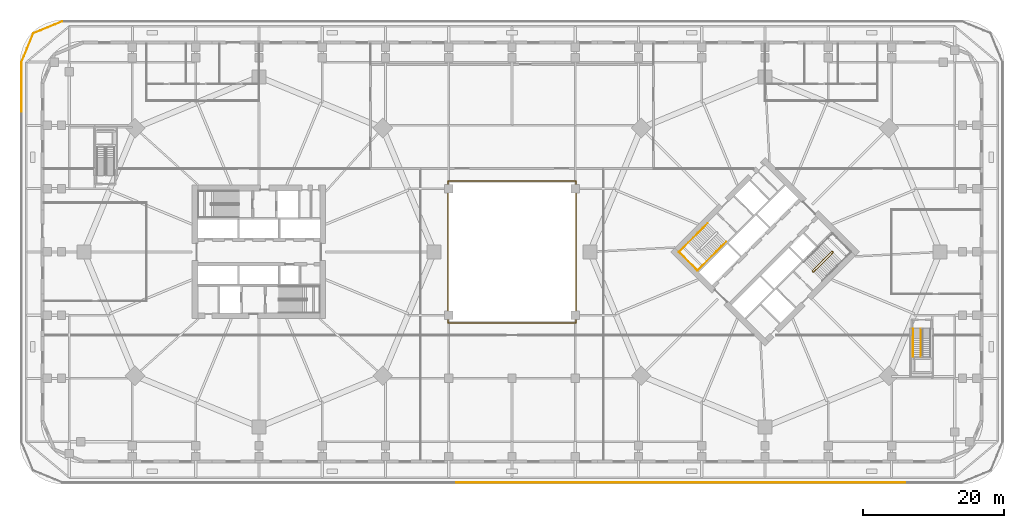
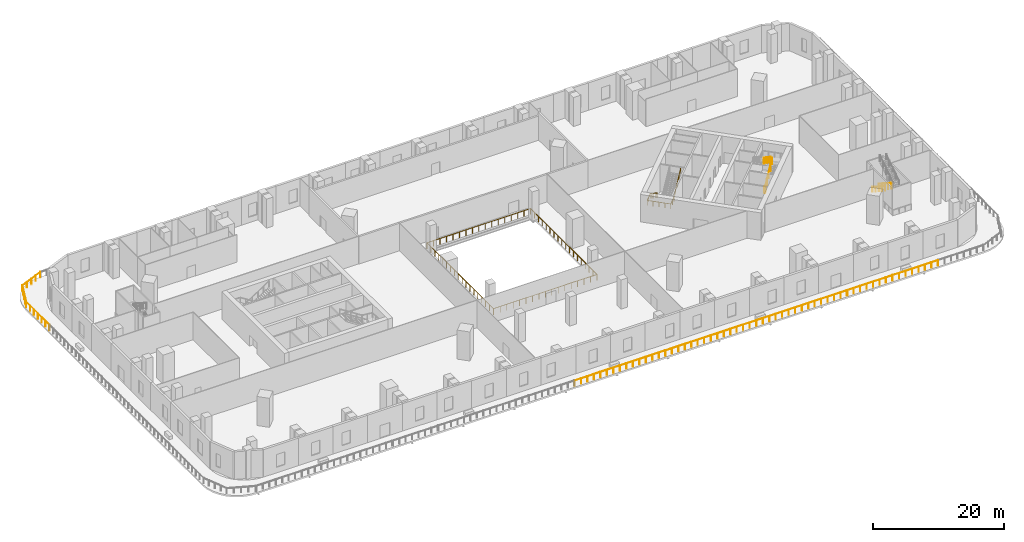
# One storey, part 15 of 19: 15 railings.
"""IFC4 building model written with IfcOpenShell, lengths in metres."""

from ifc_helpers import new_model, si_unit, direction, frame, origin, origin_2d, place, context, subcontext, project, spatial, circle, extrude, material, type_object, element, save


model = new_model("IFC4")

# Units and contexts
model_context = context("Model", 3, precision=1e-05, world=origin(), true_north=direction((0.0, 1.0)))
body_context = subcontext(model_context, "Body", "Model", "MODEL_VIEW")
ifc_project = project(units=[si_unit("LENGTHUNIT", "METRE"), si_unit("AREAUNIT", "SQUARE_METRE"), si_unit("VOLUMEUNIT", "CUBIC_METRE"), si_unit("PLANEANGLEUNIT", "RADIAN"), si_unit("MASSUNIT", "GRAM", prefix="KILO")], contexts=[model_context])

# Site, building, storey
site_placement = place(None, origin())
site = spatial("IfcSite", under=ifc_project, at=site_placement, CompositionType="ELEMENT")
building_placement = place(site_placement, origin())
building = spatial("IfcBuilding", under=site, at=building_placement, Name="Ogive Gate Towers", CompositionType="ELEMENT")
storey_placement = place(building_placement, frame((0.0, 0.0, 12.60009765625)))
storey = spatial("IfcBuildingStorey", under=building, at=storey_placement, Name="L02", CompositionType="ELEMENT", Elevation=12.60009765625)

# Railings
ifc_material_1 = material(Name="Stainless steel", Category="steel")
railing_type_1 = type_object("IfcRailingType", Name="Guard 1100", PredefinedType="GUARDRAIL", material=ifc_material_1)
railing_1_placement = place(storey_placement, frame((-64.0, 32.800048828125, 0.0)))
element("IfcRailing", 1, at=railing_1_placement, inside=storey, type_object=railing_type_1, Name="Terrace guard", PredefinedType="GUARDRAIL", context=body_context, shape_type="SweptSolid", body=[
    extrude(circle(Radius=0.02392578125, at=origin_2d()), frame((0.0, 0.0, 1.076171875), z_axis=(-0.923886797369, -0.382665892976, 0.0), x_axis=(0.382665892976, -0.923886797369, 0.0)), (0.0, 0.0, 1.0), 4.439208984375),
    extrude(circle(Radius=0.02392578125, at=origin_2d()), frame((-4.101318359375, -1.69873046875, 1.076171875), z_axis=(-0.382628940528, -0.923902101887, 0.0), x_axis=(0.923902101887, -0.382628940528, 0.0)), (0.0, 0.0, 1.0), 3.5009765625),
    extrude(circle(Radius=0.02099609375, at=origin_2d()), origin(), (0.0, 0.0, 1.0), 1.052001953125),
    extrude(circle(Radius=0.02099609375, at=origin_2d()), frame((-1.025390625, -0.4248046875, 0.0)), (0.0, 0.0, 1.0), 1.052001953125),
    extrude(circle(Radius=0.02099609375, at=origin_2d()), frame((-2.05078125, -0.849365234375, 0.0)), (0.0, 0.0, 1.0), 1.052001953125),
    extrude(circle(Radius=0.02099609375, at=origin_2d()), frame((-3.075927734375, -1.27392578125, 0.0)), (0.0, 0.0, 1.0), 1.052001953125),
    extrude(circle(Radius=0.02099609375, at=origin_2d()), frame((-4.101318359375, -1.69873046875, 0.0)), (0.0, 0.0, 1.0), 1.052001953125),
    extrude(circle(Radius=0.02099609375, at=origin_2d()), frame((-4.5478515625, -2.77685546875, 0.0)), (0.0, 0.0, 1.0), 1.052001953125),
    extrude(circle(Radius=0.02099609375, at=origin_2d()), frame((-4.994384765625, -3.855224609375, 0.0)), (0.0, 0.0, 1.0), 1.052001953125),
    extrude(circle(Radius=0.02099609375, at=origin_2d()), frame((-5.44091796875, -4.933349609375, 0.0)), (0.0, 0.0, 1.0), 1.052001953125),
])
railing_2_placement = place(storey_placement, frame((-69.460205078125, 27.8203125, 0.0)))
element("IfcRailing", 2, at=railing_2_placement, inside=storey, type_object=railing_type_1, Name="Terrace guard", PredefinedType="GUARDRAIL", context=body_context, shape_type="SweptSolid", body=[
    extrude(circle(Radius=0.02392578125, at=origin_2d()), frame((0.0, 0.0, 1.076171875), z_axis=(-0.38274032778, -0.923855963606, 0.0), x_axis=(0.923855963606, -0.38274032778, 0.0)), (0.0, 0.0, 1.0), 0.887939453125),
    extrude(circle(Radius=0.02392578125, at=origin_2d()), frame((-0.33984375, -0.8203125, 1.076171875), z_axis=(0.0, -1.0, 0.0), x_axis=(1.0, 0.0, 0.0)), (0.0, 0.0, 1.0), 7.05224609375),
    extrude(circle(Radius=0.02099609375, at=origin_2d()), origin(), (0.0, 0.0, 1.0), 1.052001953125),
    extrude(circle(Radius=0.02099609375, at=origin_2d()), frame((-0.33984375, -0.8203125, 0.0)), (0.0, 0.0, 1.0), 1.052001953125),
    extrude(circle(Radius=0.02099609375, at=origin_2d()), frame((-0.33984375, -1.99560546875, 0.0)), (0.0, 0.0, 1.0), 1.052001953125),
    extrude(circle(Radius=0.02099609375, at=origin_2d()), frame((-0.33984375, -3.171142578125, 0.0)), (0.0, 0.0, 1.0), 1.052001953125),
    extrude(circle(Radius=0.02099609375, at=origin_2d()), frame((-0.33984375, -4.346435546875, 0.0)), (0.0, 0.0, 1.0), 1.052001953125),
    extrude(circle(Radius=0.02099609375, at=origin_2d()), frame((-0.33984375, -5.521728515625, 0.0)), (0.0, 0.0, 1.0), 1.052001953125),
    extrude(circle(Radius=0.02099609375, at=origin_2d()), frame((-0.33984375, -6.697265625, 0.0)), (0.0, 0.0, 1.0), 1.052001953125),
    extrude(circle(Radius=0.02099609375, at=origin_2d()), frame((-0.33984375, -7.87255859375, 0.0)), (0.0, 0.0, 1.0), 1.052001953125),
])
railing_3_placement = place(storey_placement, frame((-7.912353515625, -32.800048828125, 0.0)))
element("IfcRailing", 3, at=railing_3_placement, inside=storey, type_object=railing_type_1, Name="Terrace guard", PredefinedType="GUARDRAIL", context=body_context, shape_type="SweptSolid", body=[
    extrude(circle(Radius=0.02392578125, at=origin_2d()), frame((0.0, 0.0, 1.076171875), z_axis=(1.0, 0.0, 0.0), x_axis=(0.0, 1.0, 0.0)), (0.0, 0.0, 1.0), 7.940185546875),
    extrude(circle(Radius=0.02099609375, at=origin_2d()), origin(), (0.0, 0.0, 1.0), 1.052001953125),
    extrude(circle(Radius=0.02099609375, at=origin_2d()), frame((1.13427734375, 0.0, 0.0)), (0.0, 0.0, 1.0), 1.052001953125),
    extrude(circle(Radius=0.02099609375, at=origin_2d()), frame((2.2685546875, 0.0, 0.0)), (0.0, 0.0, 1.0), 1.052001953125),
    extrude(circle(Radius=0.02099609375, at=origin_2d()), frame((3.40283203125, 0.0, 0.0)), (0.0, 0.0, 1.0), 1.052001953125),
    extrude(circle(Radius=0.02099609375, at=origin_2d()), frame((4.537353515625, 0.0, 0.0)), (0.0, 0.0, 1.0), 1.052001953125),
    extrude(circle(Radius=0.02099609375, at=origin_2d()), frame((5.671630859375, 0.0, 0.0)), (0.0, 0.0, 1.0), 1.052001953125),
    extrude(circle(Radius=0.02099609375, at=origin_2d()), frame((6.805908203125, 0.0, 0.0)), (0.0, 0.0, 1.0), 1.052001953125),
    extrude(circle(Radius=0.02099609375, at=origin_2d()), frame((7.940185546875, 0.0, 0.0)), (0.0, 0.0, 1.0), 1.052001953125),
])
railing_4_placement = place(storey_placement, frame((0.077880859375, -32.800048828125, 0.0)))
element("IfcRailing", 4, at=railing_4_placement, inside=storey, type_object=railing_type_1, Name="Terrace guard", PredefinedType="GUARDRAIL", context=body_context, shape_type="SweptSolid", body=[
    extrude(circle(Radius=0.02392578125, at=origin_2d()), frame((0.0, 0.0, 1.076171875), z_axis=(1.0, 0.0, 0.0), x_axis=(0.0, 1.0, 0.0)), (0.0, 0.0, 1.0), 7.9404296875),
    extrude(circle(Radius=0.02099609375, at=origin_2d()), origin(), (0.0, 0.0, 1.0), 1.052001953125),
    extrude(circle(Radius=0.02099609375, at=origin_2d()), frame((1.13427734375, 0.0, 0.0)), (0.0, 0.0, 1.0), 1.052001953125),
    extrude(circle(Radius=0.02099609375, at=origin_2d()), frame((2.268798828125, 0.0, 0.0)), (0.0, 0.0, 1.0), 1.052001953125),
    extrude(circle(Radius=0.02099609375, at=origin_2d()), frame((3.403076171875, 0.0, 0.0)), (0.0, 0.0, 1.0), 1.052001953125),
    extrude(circle(Radius=0.02099609375, at=origin_2d()), frame((4.537353515625, 0.0, 0.0)), (0.0, 0.0, 1.0), 1.052001953125),
    extrude(circle(Radius=0.02099609375, at=origin_2d()), frame((5.671630859375, 0.0, 0.0)), (0.0, 0.0, 1.0), 1.052001953125),
    extrude(circle(Radius=0.02099609375, at=origin_2d()), frame((6.80615234375, 0.0, 0.0)), (0.0, 0.0, 1.0), 1.052001953125),
    extrude(circle(Radius=0.02099609375, at=origin_2d()), frame((7.9404296875, 0.0, 0.0)), (0.0, 0.0, 1.0), 1.052001953125),
])
railing_5_placement = place(storey_placement, frame((8.068115234375, -32.800048828125, 0.0)))
element("IfcRailing", 5, at=railing_5_placement, inside=storey, type_object=railing_type_1, Name="Terrace guard", PredefinedType="GUARDRAIL", context=body_context, shape_type="SweptSolid", body=[
    extrude(circle(Radius=0.02392578125, at=origin_2d()), frame((0.0, 0.0, 1.076171875), z_axis=(1.0, 0.0, 0.0), x_axis=(0.0, 1.0, 0.0)), (0.0, 0.0, 1.0), 7.940185546875),
    extrude(circle(Radius=0.02099609375, at=origin_2d()), origin(), (0.0, 0.0, 1.0), 1.052001953125),
    extrude(circle(Radius=0.02099609375, at=origin_2d()), frame((1.13427734375, 0.0, 0.0)), (0.0, 0.0, 1.0), 1.052001953125),
    extrude(circle(Radius=0.02099609375, at=origin_2d()), frame((2.2685546875, 0.0, 0.0)), (0.0, 0.0, 1.0), 1.052001953125),
    extrude(circle(Radius=0.02099609375, at=origin_2d()), frame((3.40283203125, 0.0, 0.0)), (0.0, 0.0, 1.0), 1.052001953125),
    extrude(circle(Radius=0.02099609375, at=origin_2d()), frame((4.537353515625, 0.0, 0.0)), (0.0, 0.0, 1.0), 1.052001953125),
    extrude(circle(Radius=0.02099609375, at=origin_2d()), frame((5.671630859375, 0.0, 0.0)), (0.0, 0.0, 1.0), 1.052001953125),
    extrude(circle(Radius=0.02099609375, at=origin_2d()), frame((6.805908203125, 0.0, 0.0)), (0.0, 0.0, 1.0), 1.052001953125),
    extrude(circle(Radius=0.02099609375, at=origin_2d()), frame((7.940185546875, 0.0, 0.0)), (0.0, 0.0, 1.0), 1.052001953125),
])
for number, where, name in (
    (6, (16.058349609375, -32.800048828125, 0.0), "Terrace guard"),
    (7, (24.048583984375, -32.800048828125, 0.0), "Terrace guard"),
):
    element("IfcRailing", number, at=place(storey_placement, frame(where)), inside=storey, type_object=railing_type_1, Name=name, PredefinedType="GUARDRAIL", context=body_context, shape_type="SweptSolid", body=[
        extrude(circle(Radius=0.02392578125, at=origin_2d()), frame((0.0, 0.0, 1.076171875), z_axis=(1.0, 0.0, 0.0), x_axis=(0.0, 1.0, 0.0)), (0.0, 0.0, 1.0), 7.9404296875),
        extrude(circle(Radius=0.02099609375, at=origin_2d()), origin(), (0.0, 0.0, 1.0), 1.052001953125),
        extrude(circle(Radius=0.02099609375, at=origin_2d()), frame((1.13427734375, 0.0, 0.0)), (0.0, 0.0, 1.0), 1.052001953125),
        extrude(circle(Radius=0.02099609375, at=origin_2d()), frame((2.268798828125, 0.0, 0.0)), (0.0, 0.0, 1.0), 1.052001953125),
        extrude(circle(Radius=0.02099609375, at=origin_2d()), frame((3.403076171875, 0.0, 0.0)), (0.0, 0.0, 1.0), 1.052001953125),
        extrude(circle(Radius=0.02099609375, at=origin_2d()), frame((4.537353515625, 0.0, 0.0)), (0.0, 0.0, 1.0), 1.052001953125),
        extrude(circle(Radius=0.02099609375, at=origin_2d()), frame((5.671630859375, 0.0, 0.0)), (0.0, 0.0, 1.0), 1.052001953125),
        extrude(circle(Radius=0.02099609375, at=origin_2d()), frame((6.80615234375, 0.0, 0.0)), (0.0, 0.0, 1.0), 1.052001953125),
        extrude(circle(Radius=0.02099609375, at=origin_2d()), frame((7.9404296875, 0.0, 0.0)), (0.0, 0.0, 1.0), 1.052001953125),
    ])
for number, where, name in (
    (8, (32.0390625, -32.800048828125, 0.0), "Terrace guard"),
    (9, (40.029296875, -32.800048828125, 0.0), "Terrace guard"),
    (10, (48.01953125, -32.800048828125, 0.0), "Terrace guard"),
):
    element("IfcRailing", number, at=place(storey_placement, frame(where)), inside=storey, type_object=railing_type_1, Name=name, PredefinedType="GUARDRAIL", context=body_context, shape_type="SweptSolid", body=[
        extrude(circle(Radius=0.02392578125, at=origin_2d()), frame((0.0, 0.0, 1.076171875), z_axis=(1.0, 0.0, 0.0), x_axis=(0.0, 1.0, 0.0)), (0.0, 0.0, 1.0), 7.940185546875),
        extrude(circle(Radius=0.02099609375, at=origin_2d()), origin(), (0.0, 0.0, 1.0), 1.052001953125),
        extrude(circle(Radius=0.02099609375, at=origin_2d()), frame((1.13427734375, 0.0, 0.0)), (0.0, 0.0, 1.0), 1.052001953125),
        extrude(circle(Radius=0.02099609375, at=origin_2d()), frame((2.2685546875, 0.0, 0.0)), (0.0, 0.0, 1.0), 1.052001953125),
        extrude(circle(Radius=0.02099609375, at=origin_2d()), frame((3.40283203125, 0.0, 0.0)), (0.0, 0.0, 1.0), 1.052001953125),
        extrude(circle(Radius=0.02099609375, at=origin_2d()), frame((4.537353515625, 0.0, 0.0)), (0.0, 0.0, 1.0), 1.052001953125),
        extrude(circle(Radius=0.02099609375, at=origin_2d()), frame((5.671630859375, 0.0, 0.0)), (0.0, 0.0, 1.0), 1.052001953125),
        extrude(circle(Radius=0.02099609375, at=origin_2d()), frame((6.805908203125, 0.0, 0.0)), (0.0, 0.0, 1.0), 1.052001953125),
        extrude(circle(Radius=0.02099609375, at=origin_2d()), frame((7.940185546875, 0.0, 0.0)), (0.0, 0.0, 1.0), 1.052001953125),
    ])
ifc_material_2 = material(Name="Steel and glass guard", Category="steel")
railing_type_2 = type_object("IfcRailingType", Name="Podium stair guard 1100", PredefinedType="GUARDRAIL", material=ifc_material_2)
railing_6_placement = place(storey_placement, frame((58.14990234375, -10.949951171875, 0.179931640625)))
element("IfcRailing", 11, at=railing_6_placement, inside=storey, type_object=railing_type_2, Name="L02 PS2 stair guard 1", PredefinedType="GUARDRAIL", context=body_context, shape_type="SweptSolid", body=[
    extrude(circle(Radius=0.02392578125, at=origin_2d()), frame((0.0, 0.0, 1.076171875), z_axis=(0.0, -0.841186985886, 0.540744352514), x_axis=(1.0, 0.0, 0.0)), (0.0, 0.0, 1.0), 4.660400390625),
    extrude(circle(Radius=0.02099609375, at=origin_2d()), origin(), (0.0, 0.0, 1.0), 1.052001953125),
    extrude(circle(Radius=0.02099609375, at=origin_2d()), frame((0.0, -0.97998046875, 0.6298828125)), (0.0, 0.0, 1.0), 1.052001953125),
    extrude(circle(Radius=0.02099609375, at=origin_2d()), frame((0.0, -1.9599609375, 1.260009765625)), (0.0, 0.0, 1.0), 1.052001953125),
    extrude(circle(Radius=0.02099609375, at=origin_2d()), frame((0.0, -2.940185546875, 1.89013671875)), (0.0, 0.0, 1.0), 1.052001953125),
    extrude(circle(Radius=0.02099609375, at=origin_2d()), frame((0.0, -3.920166015625, 2.52001953125)), (0.0, 0.0, 1.0), 1.052001953125),
])
ifc_material_3 = material(Name="Stainless steel handrail", Category="steel")
railing_type_3 = type_object("IfcRailingType", Name="Podium stair handrail 900", PredefinedType="HANDRAIL", material=ifc_material_3)
railing_7_placement = place(storey_placement, frame((57.050048828125, -10.949951171875, 0.179931640625)))
element("IfcRailing", 12, at=railing_7_placement, inside=storey, type_object=railing_type_3, Name="L02 PS2 stair handrail 1", PredefinedType="HANDRAIL", context=body_context, shape_type="SweptSolid", body=[
    extrude(circle(Radius=0.02392578125, at=origin_2d()), frame((0.0, 0.0, 0.8759765625), z_axis=(0.0, -0.841186985886, 0.540744352514), x_axis=(1.0, 0.0, 0.0)), (0.0, 0.0, 1.0), 4.660400390625),
    extrude(circle(Radius=0.02099609375, at=origin_2d()), origin(), (0.0, 0.0, 1.0), 0.851806640625),
    extrude(circle(Radius=0.02099609375, at=origin_2d()), frame((0.0, -0.97998046875, 0.6298828125)), (0.0, 0.0, 1.0), 0.851806640625),
    extrude(circle(Radius=0.02099609375, at=origin_2d()), frame((0.0, -1.9599609375, 1.260009765625)), (0.0, 0.0, 1.0), 0.851806640625),
    extrude(circle(Radius=0.02099609375, at=origin_2d()), frame((0.0, -2.940185546875, 1.89013671875)), (0.0, 0.0, 1.0), 0.851806640625),
    extrude(circle(Radius=0.02099609375, at=origin_2d()), frame((0.0, -3.920166015625, 2.52001953125)), (0.0, 0.0, 1.0), 0.851806640625),
])
railing_type_4 = type_object("IfcRailingType", Name="Stair guard 1100", PredefinedType="GUARDRAIL", material=ifc_material_1)
railing_8_placement = place(storey_placement, frame((42.84130859375, -2.8603515625, 0.0)))
element("IfcRailing", 13, at=railing_8_placement, inside=storey, type_object=railing_type_4, Name="L02 ST2 stair guard 1", PredefinedType="GUARDRAIL", context=body_context, shape_type="SweptSolid", body=[
    extrude(circle(Radius=0.02392578125, at=origin_2d()), frame((0.0, 0.0, 1.076171875), z_axis=(-0.707106781187, 0.707106781187, 0.0), x_axis=(-0.707106781187, -0.707106781187, 0.0)), (0.0, 0.0, 1.0), 0.14501953125),
    extrude(circle(Radius=0.02392578125, at=origin_2d()), frame((-0.1025390625, 0.1025390625, 1.076171875), z_axis=(0.641307342375, -0.379899977147, 0.666634007518), x_axis=(0.509669330572, 0.860370369942, 0.0)), (0.0, 0.0, 1.0), 0.27001953125),
    extrude(circle(Radius=0.02392578125, at=origin_2d()), frame((0.070556640625, 0.0, 1.255859375), z_axis=(0.594808813858, 0.594808813858, 0.540744810344), x_axis=(-0.707106781187, 0.707106781187, 0.0)), (0.0, 0.0, 1.0), 4.66015625),
    extrude(circle(Radius=0.02392578125, at=origin_2d()), frame((2.842529296875, 2.77197265625, 3.77587890625), z_axis=(0.0, 1.0, 0.0), x_axis=(-1.0, 0.0, 0.0)), (0.0, 0.0, 1.0), 0.07080078125),
    extrude(circle(Radius=0.02392578125, at=origin_2d()), frame((2.842529296875, 2.8427734375, 3.77587890625), z_axis=(-0.707106781187, 0.707106781187, 0.0), x_axis=(-0.707106781187, -0.707106781187, 0.0)), (0.0, 0.0, 1.0), 0.14501953125),
    extrude(circle(Radius=0.02392578125, at=origin_2d()), frame((2.739990234375, 2.9453125, 3.77587890625), z_axis=(-0.36616015681, 0.0, 0.93055184679), x_axis=(0.0, -1.0, 0.0)), (0.0, 0.0, 1.0), 0.193359375),
    extrude(circle(Radius=0.02392578125, at=origin_2d()), frame((2.669189453125, 2.9453125, 3.9560546875), z_axis=(-0.594774959279, -0.594827348511, 0.540761660325), x_axis=(0.707137920976, -0.707075640025, 0.0)), (0.0, 0.0, 1.0), 4.66015625),
    extrude(circle(Radius=0.02099609375, at=origin_2d()), origin(), (0.0, 0.0, 1.0), 1.052001953125),
    extrude(circle(Radius=0.02099609375, at=origin_2d()), frame((-0.1025390625, 0.1025390625, 0.0)), (0.0, 0.0, 1.0), 1.052001953125),
    extrude(circle(Radius=0.02099609375, at=origin_2d()), frame((0.070556640625, 0.0, 0.179931640625)), (0.0, 0.0, 1.0), 1.052001953125),
    extrude(circle(Radius=0.02099609375, at=origin_2d()), frame((0.763671875, 0.69287109375, 0.81005859375)), (0.0, 0.0, 1.0), 1.052001953125),
    extrude(circle(Radius=0.02099609375, at=origin_2d()), frame((1.45654296875, 1.385986328125, 1.43994140625)), (0.0, 0.0, 1.0), 1.052001953125),
    extrude(circle(Radius=0.02099609375, at=origin_2d()), frame((2.1494140625, 2.0791015625, 2.06982421875)), (0.0, 0.0, 1.0), 1.052001953125),
    extrude(circle(Radius=0.02099609375, at=origin_2d()), frame((2.842529296875, 2.77197265625, 2.699951171875)), (0.0, 0.0, 1.0), 1.052001953125),
    extrude(circle(Radius=0.02099609375, at=origin_2d()), frame((2.842529296875, 2.8427734375, 2.699951171875)), (0.0, 0.0, 1.0), 1.052001953125),
    extrude(circle(Radius=0.02099609375, at=origin_2d()), frame((2.739990234375, 2.9453125, 2.699951171875)), (0.0, 0.0, 1.0), 1.052001953125),
    extrude(circle(Radius=0.02099609375, at=origin_2d()), frame((2.669189453125, 2.9453125, 2.8798828125)), (0.0, 0.0, 1.0), 1.052001953125),
    extrude(circle(Radius=0.02099609375, at=origin_2d()), frame((1.976318359375, 2.25244140625, 3.509765625)), (0.0, 0.0, 1.0), 1.052001953125),
    extrude(circle(Radius=0.02099609375, at=origin_2d()), frame((1.283203125, 1.559326171875, 4.139892578125)), (0.0, 0.0, 1.0), 1.052001953125),
    extrude(circle(Radius=0.02099609375, at=origin_2d()), frame((0.59033203125, 0.8662109375, 4.77001953125)), (0.0, 0.0, 1.0), 1.052001953125),
    extrude(circle(Radius=0.02099609375, at=origin_2d()), frame((-0.1025390625, 0.17333984375, 5.39990234375)), (0.0, 0.0, 1.0), 1.052001953125),
])
railing_type_5 = type_object("IfcRailingType", Name="Stair handrail 900", PredefinedType="HANDRAIL", material=ifc_material_1)
railing_9_placement = place(storey_placement, frame((27.857666015625, 4.090576171875, 0.179931640625)))
element("IfcRailing", 14, at=railing_9_placement, inside=storey, type_object=railing_type_5, Name="L02 ST1 stair handrail 1", PredefinedType="HANDRAIL", context=body_context, shape_type="SweptSolid", body=[
    extrude(circle(Radius=0.02392578125, at=origin_2d()), frame((0.0, 0.0, 0.8759765625), z_axis=(-0.594827348511, -0.594774959279, 0.540761660325), x_axis=(0.707075640025, -0.707137920976, 0.0)), (0.0, 0.0, 1.0), 4.66015625),
    extrude(circle(Radius=0.02392578125, at=origin_2d()), frame((-2.77197265625, -2.771728515625, 3.39599609375), z_axis=(-0.707041323489, -0.707172232825, 0.0), x_axis=(0.707172232825, -0.707041323489, 0.0)), (0.0, 0.0, 1.0), 1.864990234375),
    extrude(circle(Radius=0.02392578125, at=origin_2d()), frame((-4.090576171875, -4.090576171875, 3.39599609375), z_axis=(0.707106781187, -0.707106781187, 0.0), x_axis=(0.707106781187, 0.707106781187, 0.0)), (0.0, 0.0, 1.0), 3.72509765625),
    extrude(circle(Radius=0.02392578125, at=origin_2d()), frame((-1.45654296875, -6.724609375, 3.39599609375), z_axis=(0.703773399639, 0.703903703916, 0.096034252089), x_axis=(-0.707172232825, 0.707041323489, 0.0)), (0.0, 0.0, 1.0), 1.87353515625),
    extrude(circle(Radius=0.02392578125, at=origin_2d()), frame((-0.137939453125, -5.40576171875, 3.57568359375), z_axis=(0.594827348511, 0.594774959279, 0.540761660325), x_axis=(-0.707075640025, 0.707137920976, 0.0)), (0.0, 0.0, 1.0), 4.66015625),
    extrude(circle(Radius=0.02099609375, at=origin_2d()), origin(), (0.0, 0.0, 1.0), 0.851806640625),
    extrude(circle(Radius=0.02099609375, at=origin_2d()), frame((-0.69287109375, -0.69287109375, 0.6298828125)), (0.0, 0.0, 1.0), 0.851806640625),
    extrude(circle(Radius=0.02099609375, at=origin_2d()), frame((-1.385986328125, -1.3857421875, 1.260009765625)), (0.0, 0.0, 1.0), 0.851806640625),
    extrude(circle(Radius=0.02099609375, at=origin_2d()), frame((-2.0791015625, -2.078857421875, 1.89013671875)), (0.0, 0.0, 1.0), 0.851806640625),
    extrude(circle(Radius=0.02099609375, at=origin_2d()), frame((-2.77197265625, -2.771728515625, 2.52001953125)), (0.0, 0.0, 1.0), 0.851806640625),
    extrude(circle(Radius=0.02099609375, at=origin_2d()), frame((-3.43115234375, -3.43115234375, 2.52001953125)), (0.0, 0.0, 1.0), 0.851806640625),
    extrude(circle(Radius=0.02099609375, at=origin_2d()), frame((-4.090576171875, -4.090576171875, 2.52001953125)), (0.0, 0.0, 1.0), 0.851806640625),
    extrude(circle(Radius=0.02099609375, at=origin_2d()), frame((-3.43212890625, -4.7490234375, 2.52001953125)), (0.0, 0.0, 1.0), 0.851806640625),
    extrude(circle(Radius=0.02099609375, at=origin_2d()), frame((-2.7734375, -5.40771484375, 2.52001953125)), (0.0, 0.0, 1.0), 0.851806640625),
    extrude(circle(Radius=0.02099609375, at=origin_2d()), frame((-2.114990234375, -6.066162109375, 2.52001953125)), (0.0, 0.0, 1.0), 0.851806640625),
    extrude(circle(Radius=0.02099609375, at=origin_2d()), frame((-1.45654296875, -6.724609375, 2.52001953125)), (0.0, 0.0, 1.0), 0.851806640625),
    extrude(circle(Radius=0.02099609375, at=origin_2d()), frame((-0.79736328125, -6.065185546875, 2.60986328125)), (0.0, 0.0, 1.0), 0.851806640625),
    extrude(circle(Radius=0.02099609375, at=origin_2d()), frame((-0.137939453125, -5.40576171875, 2.699951171875)), (0.0, 0.0, 1.0), 0.851806640625),
    extrude(circle(Radius=0.02099609375, at=origin_2d()), frame((0.55517578125, -4.712890625, 3.330078125)), (0.0, 0.0, 1.0), 0.851806640625),
    extrude(circle(Radius=0.02099609375, at=origin_2d()), frame((1.248046875, -4.02001953125, 3.9599609375)), (0.0, 0.0, 1.0), 0.851806640625),
    extrude(circle(Radius=0.02099609375, at=origin_2d()), frame((1.94091796875, -3.326904296875, 4.58984375)), (0.0, 0.0, 1.0), 0.851806640625),
    extrude(circle(Radius=0.02099609375, at=origin_2d()), frame((2.634033203125, -2.634033203125, 5.219970703125)), (0.0, 0.0, 1.0), 0.851806640625),
])
railing_type_6 = type_object("IfcRailingType", Name="Void guard 1100", PredefinedType="GUARDRAIL", material=ifc_material_2)
railing_10_placement = place(storey_placement, frame((-9.10009765625, -10.10009765625, 0.0)))
element("IfcRailing", 15, at=railing_10_placement, inside=storey, type_object=railing_type_6, Name="L02 nave guard", PredefinedType="GUARDRAIL", context=body_context, shape_type="SweptSolid", body=[
    extrude(circle(Radius=0.02392578125, at=origin_2d()), frame((0.0, 0.0, 1.076171875), z_axis=(0.0, 1.0, 0.0), x_axis=(-1.0, 0.0, 0.0)), (0.0, 0.0, 1.0), 20.2001953125),
    extrude(circle(Radius=0.02392578125, at=origin_2d()), frame((0.0, 20.2001953125, 1.076171875), z_axis=(1.0, 0.0, 0.0), x_axis=(0.0, 1.0, 0.0)), (0.0, 0.0, 1.0), 18.2001953125),
    extrude(circle(Radius=0.02392578125, at=origin_2d()), frame((18.2001953125, 20.2001953125, 1.076171875), z_axis=(0.0, -1.0, 0.0), x_axis=(1.0, 0.0, 0.0)), (0.0, 0.0, 1.0), 20.2001953125),
    extrude(circle(Radius=0.02392578125, at=origin_2d()), frame((18.2001953125, 0.0, 1.076171875), z_axis=(-1.0, 0.0, 0.0), x_axis=(0.0, -1.0, 0.0)), (0.0, 0.0, 1.0), 18.130126953125),
    extrude(circle(Radius=0.02099609375, at=origin_2d()), origin(), (0.0, 0.0, 1.0), 1.052001953125),
    extrude(circle(Radius=0.02099609375, at=origin_2d()), frame((0.0, 1.188232421875, 0.0)), (0.0, 0.0, 1.0), 1.052001953125),
    extrude(circle(Radius=0.02099609375, at=origin_2d()), frame((0.0, 2.37646484375, 0.0)), (0.0, 0.0, 1.0), 1.052001953125),
    extrude(circle(Radius=0.02099609375, at=origin_2d()), frame((0.0, 3.564697265625, 0.0)), (0.0, 0.0, 1.0), 1.052001953125),
    extrude(circle(Radius=0.02099609375, at=origin_2d()), frame((0.0, 4.7529296875, 0.0)), (0.0, 0.0, 1.0), 1.052001953125),
    extrude(circle(Radius=0.02099609375, at=origin_2d()), frame((0.0, 5.941162109375, 0.0)), (0.0, 0.0, 1.0), 1.052001953125),
    extrude(circle(Radius=0.02099609375, at=origin_2d()), frame((0.0, 7.12939453125, 0.0)), (0.0, 0.0, 1.0), 1.052001953125),
    extrude(circle(Radius=0.02099609375, at=origin_2d()), frame((0.0, 8.317626953125, 0.0)), (0.0, 0.0, 1.0), 1.052001953125),
    extrude(circle(Radius=0.02099609375, at=origin_2d()), frame((0.0, 9.505859375, 0.0)), (0.0, 0.0, 1.0), 1.052001953125),
    extrude(circle(Radius=0.02099609375, at=origin_2d()), frame((0.0, 10.6943359375, 0.0)), (0.0, 0.0, 1.0), 1.052001953125),
    extrude(circle(Radius=0.02099609375, at=origin_2d()), frame((0.0, 11.882568359375, 0.0)), (0.0, 0.0, 1.0), 1.052001953125),
    extrude(circle(Radius=0.02099609375, at=origin_2d()), frame((0.0, 13.07080078125, 0.0)), (0.0, 0.0, 1.0), 1.052001953125),
    extrude(circle(Radius=0.02099609375, at=origin_2d()), frame((0.0, 14.259033203125, 0.0)), (0.0, 0.0, 1.0), 1.052001953125),
    extrude(circle(Radius=0.02099609375, at=origin_2d()), frame((0.0, 15.447265625, 0.0)), (0.0, 0.0, 1.0), 1.052001953125),
    extrude(circle(Radius=0.02099609375, at=origin_2d()), frame((0.0, 16.635498046875, 0.0)), (0.0, 0.0, 1.0), 1.052001953125),
    extrude(circle(Radius=0.02099609375, at=origin_2d()), frame((0.0, 17.82373046875, 0.0)), (0.0, 0.0, 1.0), 1.052001953125),
    extrude(circle(Radius=0.02099609375, at=origin_2d()), frame((0.0, 19.011962890625, 0.0)), (0.0, 0.0, 1.0), 1.052001953125),
    extrude(circle(Radius=0.02099609375, at=origin_2d()), frame((0.0, 20.2001953125, 0.0)), (0.0, 0.0, 1.0), 1.052001953125),
    extrude(circle(Radius=0.02099609375, at=origin_2d()), frame((1.137451171875, 20.2001953125, 0.0)), (0.0, 0.0, 1.0), 1.052001953125),
    extrude(circle(Radius=0.02099609375, at=origin_2d()), frame((2.27490234375, 20.2001953125, 0.0)), (0.0, 0.0, 1.0), 1.052001953125),
    extrude(circle(Radius=0.02099609375, at=origin_2d()), frame((3.41259765625, 20.2001953125, 0.0)), (0.0, 0.0, 1.0), 1.052001953125),
    extrude(circle(Radius=0.02099609375, at=origin_2d()), frame((4.550048828125, 20.2001953125, 0.0)), (0.0, 0.0, 1.0), 1.052001953125),
    extrude(circle(Radius=0.02099609375, at=origin_2d()), frame((5.6875, 20.2001953125, 0.0)), (0.0, 0.0, 1.0), 1.052001953125),
    extrude(circle(Radius=0.02099609375, at=origin_2d()), frame((6.8251953125, 20.2001953125, 0.0)), (0.0, 0.0, 1.0), 1.052001953125),
    extrude(circle(Radius=0.02099609375, at=origin_2d()), frame((7.962646484375, 20.2001953125, 0.0)), (0.0, 0.0, 1.0), 1.052001953125),
    extrude(circle(Radius=0.02099609375, at=origin_2d()), frame((9.10009765625, 20.2001953125, 0.0)), (0.0, 0.0, 1.0), 1.052001953125),
    extrude(circle(Radius=0.02099609375, at=origin_2d()), frame((10.237548828125, 20.2001953125, 0.0)), (0.0, 0.0, 1.0), 1.052001953125),
    extrude(circle(Radius=0.02099609375, at=origin_2d()), frame((11.375, 20.2001953125, 0.0)), (0.0, 0.0, 1.0), 1.052001953125),
    extrude(circle(Radius=0.02099609375, at=origin_2d()), frame((12.5126953125, 20.2001953125, 0.0)), (0.0, 0.0, 1.0), 1.052001953125),
    extrude(circle(Radius=0.02099609375, at=origin_2d()), frame((13.650146484375, 20.2001953125, 0.0)), (0.0, 0.0, 1.0), 1.052001953125),
    extrude(circle(Radius=0.02099609375, at=origin_2d()), frame((14.78759765625, 20.2001953125, 0.0)), (0.0, 0.0, 1.0), 1.052001953125),
    extrude(circle(Radius=0.02099609375, at=origin_2d()), frame((15.92529296875, 20.2001953125, 0.0)), (0.0, 0.0, 1.0), 1.052001953125),
    extrude(circle(Radius=0.02099609375, at=origin_2d()), frame((17.062744140625, 20.2001953125, 0.0)), (0.0, 0.0, 1.0), 1.052001953125),
    extrude(circle(Radius=0.02099609375, at=origin_2d()), frame((18.2001953125, 20.2001953125, 0.0)), (0.0, 0.0, 1.0), 1.052001953125),
    extrude(circle(Radius=0.02099609375, at=origin_2d()), frame((18.2001953125, 19.011962890625, 0.0)), (0.0, 0.0, 1.0), 1.052001953125),
    extrude(circle(Radius=0.02099609375, at=origin_2d()), frame((18.2001953125, 17.82373046875, 0.0)), (0.0, 0.0, 1.0), 1.052001953125),
    extrude(circle(Radius=0.02099609375, at=origin_2d()), frame((18.2001953125, 16.635498046875, 0.0)), (0.0, 0.0, 1.0), 1.052001953125),
    extrude(circle(Radius=0.02099609375, at=origin_2d()), frame((18.2001953125, 15.447265625, 0.0)), (0.0, 0.0, 1.0), 1.052001953125),
    extrude(circle(Radius=0.02099609375, at=origin_2d()), frame((18.2001953125, 14.259033203125, 0.0)), (0.0, 0.0, 1.0), 1.052001953125),
    extrude(circle(Radius=0.02099609375, at=origin_2d()), frame((18.2001953125, 13.07080078125, 0.0)), (0.0, 0.0, 1.0), 1.052001953125),
    extrude(circle(Radius=0.02099609375, at=origin_2d()), frame((18.2001953125, 11.882568359375, 0.0)), (0.0, 0.0, 1.0), 1.052001953125),
    extrude(circle(Radius=0.02099609375, at=origin_2d()), frame((18.2001953125, 10.6943359375, 0.0)), (0.0, 0.0, 1.0), 1.052001953125),
    extrude(circle(Radius=0.02099609375, at=origin_2d()), frame((18.2001953125, 9.505859375, 0.0)), (0.0, 0.0, 1.0), 1.052001953125),
    extrude(circle(Radius=0.02099609375, at=origin_2d()), frame((18.2001953125, 8.317626953125, 0.0)), (0.0, 0.0, 1.0), 1.052001953125),
    extrude(circle(Radius=0.02099609375, at=origin_2d()), frame((18.2001953125, 7.12939453125, 0.0)), (0.0, 0.0, 1.0), 1.052001953125),
    extrude(circle(Radius=0.02099609375, at=origin_2d()), frame((18.2001953125, 5.941162109375, 0.0)), (0.0, 0.0, 1.0), 1.052001953125),
    extrude(circle(Radius=0.02099609375, at=origin_2d()), frame((18.2001953125, 4.7529296875, 0.0)), (0.0, 0.0, 1.0), 1.052001953125),
    extrude(circle(Radius=0.02099609375, at=origin_2d()), frame((18.2001953125, 3.564697265625, 0.0)), (0.0, 0.0, 1.0), 1.052001953125),
    extrude(circle(Radius=0.02099609375, at=origin_2d()), frame((18.2001953125, 2.37646484375, 0.0)), (0.0, 0.0, 1.0), 1.052001953125),
    extrude(circle(Radius=0.02099609375, at=origin_2d()), frame((18.2001953125, 1.188232421875, 0.0)), (0.0, 0.0, 1.0), 1.052001953125),
    extrude(circle(Radius=0.02099609375, at=origin_2d()), frame((18.2001953125, 0.0, 0.0)), (0.0, 0.0, 1.0), 1.052001953125),
    extrude(circle(Radius=0.02099609375, at=origin_2d()), frame((17.067138671875, 0.0, 0.0)), (0.0, 0.0, 1.0), 1.052001953125),
    extrude(circle(Radius=0.02099609375, at=origin_2d()), frame((15.933837890625, 0.0, 0.0)), (0.0, 0.0, 1.0), 1.052001953125),
    extrude(circle(Radius=0.02099609375, at=origin_2d()), frame((14.80078125, 0.0, 0.0)), (0.0, 0.0, 1.0), 1.052001953125),
    extrude(circle(Radius=0.02099609375, at=origin_2d()), frame((13.667724609375, 0.0, 0.0)), (0.0, 0.0, 1.0), 1.052001953125),
    extrude(circle(Radius=0.02099609375, at=origin_2d()), frame((12.534423828125, 0.0, 0.0)), (0.0, 0.0, 1.0), 1.052001953125),
    extrude(circle(Radius=0.02099609375, at=origin_2d()), frame((11.4013671875, 0.0, 0.0)), (0.0, 0.0, 1.0), 1.052001953125),
    extrude(circle(Radius=0.02099609375, at=origin_2d()), frame((10.268310546875, 0.0, 0.0)), (0.0, 0.0, 1.0), 1.052001953125),
    extrude(circle(Radius=0.02099609375, at=origin_2d()), frame((9.13525390625, 0.0, 0.0)), (0.0, 0.0, 1.0), 1.052001953125),
    extrude(circle(Radius=0.02099609375, at=origin_2d()), frame((8.001953125, 0.0, 0.0)), (0.0, 0.0, 1.0), 1.052001953125),
    extrude(circle(Radius=0.02099609375, at=origin_2d()), frame((6.868896484375, 0.0, 0.0)), (0.0, 0.0, 1.0), 1.052001953125),
    extrude(circle(Radius=0.02099609375, at=origin_2d()), frame((5.73583984375, 0.0, 0.0)), (0.0, 0.0, 1.0), 1.052001953125),
    extrude(circle(Radius=0.02099609375, at=origin_2d()), frame((4.6025390625, 0.0, 0.0)), (0.0, 0.0, 1.0), 1.052001953125),
    extrude(circle(Radius=0.02099609375, at=origin_2d()), frame((3.469482421875, 0.0, 0.0)), (0.0, 0.0, 1.0), 1.052001953125),
    extrude(circle(Radius=0.02099609375, at=origin_2d()), frame((2.33642578125, 0.0, 0.0)), (0.0, 0.0, 1.0), 1.052001953125),
    extrude(circle(Radius=0.02099609375, at=origin_2d()), frame((1.203125, 0.0, 0.0)), (0.0, 0.0, 1.0), 1.052001953125),
    extrude(circle(Radius=0.02099609375, at=origin_2d()), frame((0.070068359375, 0.0, 0.0)), (0.0, 0.0, 1.0), 1.052001953125),
])

save(model, "model.ifc")
